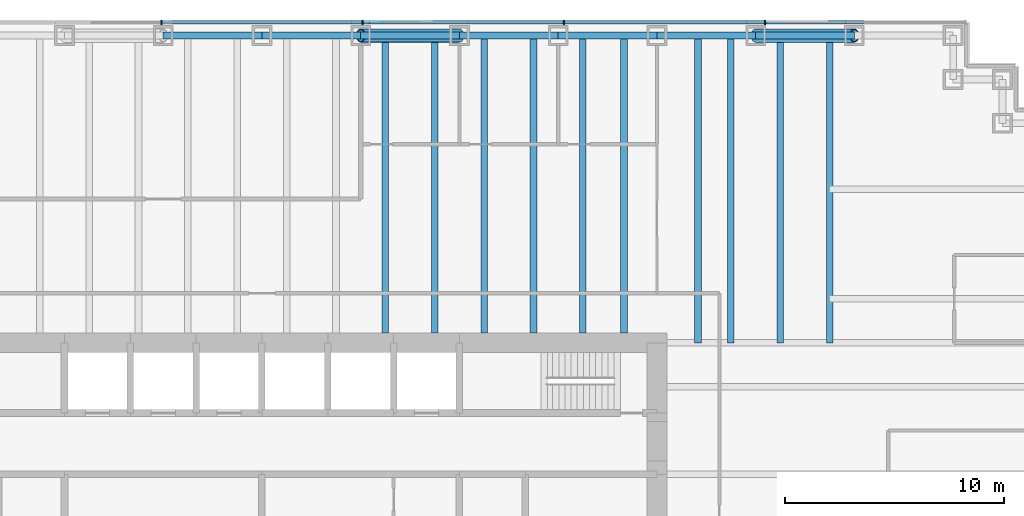
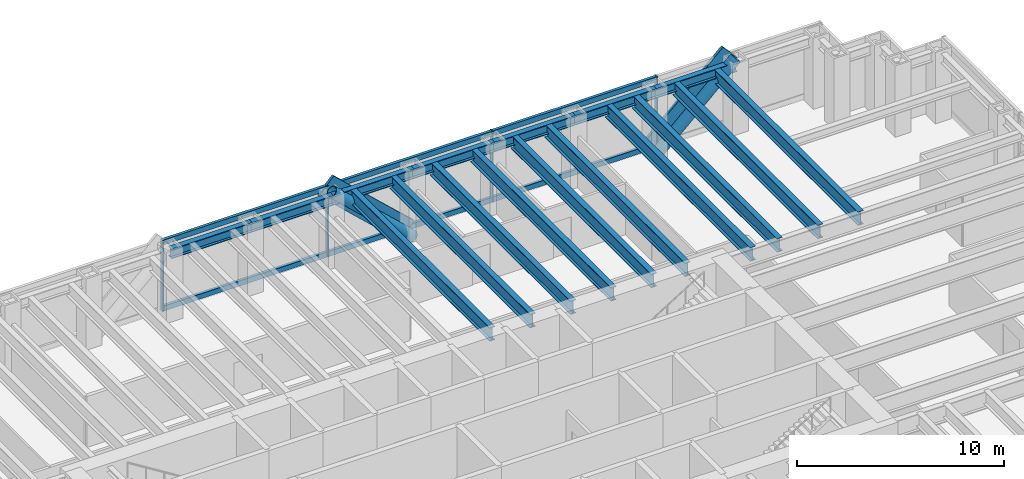
# One storey, part 7 of 15: 17 beams, 14 members, 1 element without a shape of its own.
"""IFC4 building model written with IfcOpenShell, lengths in metres."""

from ifc_helpers import new_model, si_unit, direction, frame, origin, origin_2d, place, context, subcontext, project, spatial, rectangle, hollow_circle, i_section, extrude, material, material_profile, profile_set, type_object, element, aggregate, save


model = new_model("IFC4")

# Units and contexts
model_context = context("Model", 3, precision=1e-05, world=origin(), true_north=direction((0.0, 1.0)))
body_context = subcontext(model_context, "Body", "Model", "MODEL_VIEW")
ifc_project = project(units=[si_unit("LENGTHUNIT", "METRE"), si_unit("AREAUNIT", "SQUARE_METRE"), si_unit("VOLUMEUNIT", "CUBIC_METRE"), si_unit("PLANEANGLEUNIT", "RADIAN"), si_unit("MASSUNIT", "GRAM", prefix="KILO")], contexts=[model_context])

# Site, building, storey
site_placement = place(None, origin())
site = spatial("IfcSite", under=ifc_project, at=site_placement, CompositionType="ELEMENT")
building_placement = place(site_placement, origin())
building = spatial("IfcBuilding", under=site, at=building_placement, Name="Rheinbord Bourse Tower", CompositionType="ELEMENT")
storey_placement = place(building_placement, frame((0.0, 0.0, 146.699951171875)))
storey = spatial("IfcBuildingStorey", under=building, at=storey_placement, Name="L32", CompositionType="ELEMENT", Elevation=146.699951171875)

# Curtain wall, members
ifc_material_1 = material(Name="Dark glass and black aluminium", Category="aluminium")
curtain_wall_type = type_object("IfcCurtainWallType", Name="CW2 DARK GLASS CURTAIN WALL", PredefinedType="USERDEFINED", material=ifc_material_1)
curtain_wall_placement = place(storey_placement, origin())
curtain_wall = element("IfcCurtainWall", 1, at=curtain_wall_placement, inside=storey, type_object=curtain_wall_type, Name="Curtain wall CW2 N L32", ObjectType="UNITISED CURTAIN WALL", PredefinedType="USERDEFINED")
ifc_material_2 = material(Name="Black anodised aluminium", Category="aluminium")
ifc_material_profile_1 = material_profile(ifc_material_2, rectangle(XDim=0.159912109375, YDim=1.2099609375, at=origin_2d()), Name="CW2 DIAGONAL MULLION 1210x160")
ifc_profile_set_1 = profile_set([ifc_material_profile_1], Name="Black anodised aluminium")
member_type_1 = type_object("IfcMemberType", Name="CW2 BLACK DIAGONAL MULLION", PredefinedType="USERDEFINED", material=ifc_profile_set_1)
member_1_placement = place(storey_placement, frame((45.0, 46.60009765625, 0.0), z_axis=(-0.73105922506, 0.0, 0.682314010889), x_axis=(0.0, -1.0, 0.0)))
member_1 = element("IfcMember", 2, at=member_1_placement, type_object=member_type_1, Name="CW2 diagonal mullion b", ObjectType="DIAGONAL MULLION", PredefinedType="USERDEFINED", context=body_context, shape_type="SweptSolid", body=[
    extrude(rectangle(XDim=0.159912109375, YDim=1.2099609375, at=origin_2d()), origin(), (0.0, 0.0, 1.0), 6.155517578125),
])
member_2_placement = place(storey_placement, frame((58.5, 46.60009765625, 0.0), z_axis=(0.73105922506, 0.0, 0.682314010889), x_axis=(0.0, 1.0, 0.0)))
member_2 = element("IfcMember", 3, at=member_2_placement, type_object=member_type_1, Name="CW2 diagonal mullion c", ObjectType="DIAGONAL MULLION", PredefinedType="USERDEFINED", context=body_context, shape_type="SweptSolid", body=[
    extrude(rectangle(XDim=0.159912109375, YDim=1.2099609375, at=origin_2d()), origin(), (0.0, 0.0, 1.0), 6.155517578125),
])
ifc_material_3 = material(Name="Black anodised aluminium", Category="aluminium")
ifc_material_profile_2 = material_profile(ifc_material_3, rectangle(XDim=0.219970703125, YDim=0.070068359375, at=origin_2d()), Name="CW2 MULLION 70x220")
ifc_profile_set_2 = profile_set([ifc_material_profile_2], Name="Black anodised aluminium")
member_type_2 = type_object("IfcMemberType", Name="CW2 BLACK MULLION", PredefinedType="MULLION", material=ifc_profile_set_2)
member_3_placement = place(storey_placement, frame((58.928466796875, 46.60009765625, 0.0), z_axis=(0.0, 0.0, 1.0), x_axis=(0.0, -1.0, 0.0)))
member_3 = element("IfcMember", 4, at=member_3_placement, type_object=member_type_2, Name="CW2 mullion 2", PredefinedType="MULLION", context=body_context, shape_type="SweptSolid", body=[
    extrude(rectangle(XDim=0.219970703125, YDim=0.070068359375, at=origin_2d()), origin(), (0.0, 0.0, 1.0), 4.199951171875),
])
member_4_placement = place(storey_placement, frame((49.757080078125, 46.60009765625, 0.0), z_axis=(0.0, 0.0, 1.0), x_axis=(0.0, -1.0, 0.0)))
member_4 = element("IfcMember", 5, at=member_4_placement, type_object=member_type_2, Name="CW2 mullion 3", PredefinedType="MULLION", context=body_context, shape_type="SweptSolid", body=[
    extrude(rectangle(XDim=0.219970703125, YDim=0.070068359375, at=origin_2d()), origin(), (0.0, 0.0, 1.0), 4.199951171875),
])
member_5_placement = place(storey_placement, frame((40.585693359375, 46.60009765625, 0.0), z_axis=(0.0, 0.0, 1.0), x_axis=(0.0, -1.0, 0.0)))
member_5 = element("IfcMember", 6, at=member_5_placement, type_object=member_type_2, Name="CW2 mullion 4", PredefinedType="MULLION", context=body_context, shape_type="SweptSolid", body=[
    extrude(rectangle(XDim=0.219970703125, YDim=0.070068359375, at=origin_2d()), origin(), (0.0, 0.0, 1.0), 4.199951171875),
])
member_6_placement = place(storey_placement, frame((31.414306640625, 46.60009765625, 0.0), z_axis=(0.0, 0.0, 1.0), x_axis=(0.0, -1.0, 0.0)))
member_6 = element("IfcMember", 7, at=member_6_placement, type_object=member_type_2, Name="CW2 mullion 5", PredefinedType="MULLION", context=body_context, shape_type="SweptSolid", body=[
    extrude(rectangle(XDim=0.219970703125, YDim=0.070068359375, at=origin_2d()), origin(), (0.0, 0.0, 1.0), 4.199951171875),
])
ifc_material_4 = material(Name="Black anodised aluminium", Category="aluminium")
ifc_material_profile_3 = material_profile(ifc_material_4, rectangle(XDim=0.159912109375, YDim=0.300048828125, at=origin_2d()), Name="CW2 TRANSOM 300x160")
ifc_profile_set_3 = profile_set([ifc_material_profile_3], Name="Black anodised aluminium")
member_type_3 = type_object("IfcMemberType", Name="CW2 BLACK TRANSOM", PredefinedType="USERDEFINED", material=ifc_profile_set_3)
member_7_placement = place(storey_placement, frame((58.8935546875, 46.60009765625, 0.150146484375), z_axis=(-1.0, 0.0, 0.0), x_axis=(0.0, -1.0, 0.0)))
member_7 = element("IfcMember", 8, at=member_7_placement, type_object=member_type_3, Name="CW2 transom 2.1", ObjectType="TRANSOM", PredefinedType="USERDEFINED", context=body_context, shape_type="SweptSolid", body=[
    extrude(rectangle(XDim=0.159912109375, YDim=0.300048828125, at=origin_2d()), origin(), (0.0, 0.0, 1.0), 9.101318359375),
])
member_8_placement = place(storey_placement, frame((58.8935546875, 46.60009765625, 4.050048828125), z_axis=(-1.0, 0.0, 0.0), x_axis=(0.0, -1.0, 0.0)))
member_8 = element("IfcMember", 9, at=member_8_placement, type_object=member_type_3, Name="CW2 transom 2.2", ObjectType="TRANSOM", PredefinedType="USERDEFINED", context=body_context, shape_type="SweptSolid", body=[
    extrude(rectangle(XDim=0.159912109375, YDim=0.300048828125, at=origin_2d()), origin(), (0.0, 0.0, 1.0), 9.101318359375),
])
member_9_placement = place(storey_placement, frame((49.72216796875, 46.60009765625, 0.150146484375), z_axis=(-1.0, 0.0, 0.0), x_axis=(0.0, -1.0, 0.0)))
member_9 = element("IfcMember", 10, at=member_9_placement, type_object=member_type_3, Name="CW2 transom 3.1", ObjectType="TRANSOM", PredefinedType="USERDEFINED", context=body_context, shape_type="SweptSolid", body=[
    extrude(rectangle(XDim=0.159912109375, YDim=0.300048828125, at=origin_2d()), origin(), (0.0, 0.0, 1.0), 9.1015625),
])
member_10_placement = place(storey_placement, frame((49.72216796875, 46.60009765625, 4.050048828125), z_axis=(-1.0, 0.0, 0.0), x_axis=(0.0, -1.0, 0.0)))
member_10 = element("IfcMember", 11, at=member_10_placement, type_object=member_type_3, Name="CW2 transom 3.2", ObjectType="TRANSOM", PredefinedType="USERDEFINED", context=body_context, shape_type="SweptSolid", body=[
    extrude(rectangle(XDim=0.159912109375, YDim=0.300048828125, at=origin_2d()), origin(), (0.0, 0.0, 1.0), 9.1015625),
])
member_11_placement = place(storey_placement, frame((40.55078125, 46.60009765625, 0.150146484375), z_axis=(-1.0, 0.0, 0.0), x_axis=(0.0, -1.0, 0.0)))
member_11 = element("IfcMember", 12, at=member_11_placement, type_object=member_type_3, Name="CW2 transom 4.1", ObjectType="TRANSOM", PredefinedType="USERDEFINED", context=body_context, shape_type="SweptSolid", body=[
    extrude(rectangle(XDim=0.159912109375, YDim=0.300048828125, at=origin_2d()), origin(), (0.0, 0.0, 1.0), 9.1015625),
])
member_12_placement = place(storey_placement, frame((40.55078125, 46.60009765625, 4.050048828125), z_axis=(-1.0, 0.0, 0.0), x_axis=(0.0, -1.0, 0.0)))
member_12 = element("IfcMember", 13, at=member_12_placement, type_object=member_type_3, Name="CW2 transom 4.2", ObjectType="TRANSOM", PredefinedType="USERDEFINED", context=body_context, shape_type="SweptSolid", body=[
    extrude(rectangle(XDim=0.159912109375, YDim=0.300048828125, at=origin_2d()), origin(), (0.0, 0.0, 1.0), 9.1015625),
])
aggregate(curtain_wall, [member_3, member_4, member_5, member_6, member_7, member_8, member_9, member_10, member_11, member_12, member_1, member_2])

# Beams
ifc_material_5 = material(Name="Steel S460", Category="steel")
ifc_material_profile_4 = material_profile(ifc_material_5, i_section(OverallWidth=0.300048828125, OverallDepth=0.800048828125, WebThickness=0.017578125, FlangeThickness=0.032958984375, at=origin_2d()), Name="HEB 800")
ifc_profile_set_4 = profile_set([ifc_material_profile_4], Name="Steel S460")
beam_type_1 = type_object("IfcBeamType", Name="FLOOR BEAM HEB 800", PredefinedType="BEAM", material=ifc_profile_set_4)
for number, where, z_axis, x_axis, name in (
    (14, (41.625, 46.0, 3.64013671875), (0.0, -1.0, 0.0), (1.0, 0.0, 0.0), "Floor beam N-40.5a L33"),
    (15, (43.875, 46.0, 3.64013671875), (0.0, -1.0, 0.0), (1.0, 0.0, 0.0), "Floor beam N-40.5b L33"),
    (16, (46.125, 46.0, 3.64013671875), (0.0, -1.0, 0.0), (1.0, 0.0, 0.0), "Floor beam N-45a L33"),
    (17, (48.375, 46.0, 3.64013671875), (0.0, -1.0, 0.0), (1.0, 0.0, 0.0), "Floor beam N-45b L33"),
    (18, (50.625, 46.0, 3.64013671875), (0.0, -1.0, 0.0), (1.0, 0.0, 0.0), "Floor beam N-49.5a L33"),
    (19, (52.5, 46.0, 3.64013671875), (0.0, -1.0, 0.0), (1.0, 0.0, 0.0), "Floor beam N-49.5b L33"),
):
    element("IfcBeam", number, at=place(storey_placement, frame(where, z_axis=z_axis, x_axis=x_axis)), inside=storey, type_object=beam_type_1, Name=name, PredefinedType="BEAM", context=body_context, shape_type="SweptSolid", body=[
        extrude(i_section(OverallWidth=0.300048828125, OverallDepth=0.800048828125, WebThickness=0.017578125, FlangeThickness=0.032958984375, at=origin_2d()), origin(), (0.0, 0.0, 1.0), 13.550048828125),
    ])
for number, where, z_axis, x_axis, name in (
    (20, (55.875, 46.0, 3.64013671875), (0.0, -1.0, 0.0), (1.0, 0.0, 0.0), "Floor beam N-54a L33"),
    (21, (57.375, 46.0, 3.64013671875), (0.0, -1.0, 0.0), (1.0, 0.0, 0.0), "Floor beam N-54b L33"),
    (22, (59.625, 46.0, 3.64013671875), (0.0, -1.0, 0.0), (1.0, 0.0, 0.0), "Floor beam N-58.5a L33"),
    (23, (61.875, 46.0, 3.64013671875), (0.0, -1.0, 0.0), (1.0, 0.0, 0.0), "Floor beam N-58.5b L33"),
):
    element("IfcBeam", number, at=place(storey_placement, frame(where, z_axis=z_axis, x_axis=x_axis)), inside=storey, type_object=beam_type_1, Name=name, PredefinedType="BEAM", context=body_context, shape_type="SweptSolid", body=[
        extrude(i_section(OverallWidth=0.300048828125, OverallDepth=0.800048828125, WebThickness=0.017578125, FlangeThickness=0.032958984375, at=origin_2d()), origin(), (0.0, 0.0, 1.0), 14.0),
    ])

# Members
ifc_material_6 = material(Name="Steel S460", Category="steel")
ifc_material_profile_5 = material_profile(ifc_material_6, hollow_circle(Radius=0.304931640625, WallThickness=0.0400390625, at=origin_2d()), Name="CHS 610x40")
ifc_profile_set_5 = profile_set([ifc_material_profile_5], Name="Steel S460")
member_type_4 = type_object("IfcMemberType", Name="MEGABRACE CHS 610x40", PredefinedType="BRACE", material=ifc_profile_set_5)
for number, where, z_axis, x_axis, name in (
    (24, (45.0, 46.0, 0.0), (-0.73105922506, 0.0, 0.682314010889), (0.0, -1.0, 0.0), "Megabrace N face line b L32"),
    (25, (58.5, 46.0, 0.0), (0.73105922506, 0.0, 0.682314010889), (0.0, 1.0, 0.0), "Megabrace N face line c L32"),
):
    element("IfcMember", number, at=place(storey_placement, frame(where, z_axis=z_axis, x_axis=x_axis)), inside=storey, type_object=member_type_4, Name=name, PredefinedType="BRACE", context=body_context, shape_type="SweptSolid", body=[
        extrude(hollow_circle(Radius=0.304931640625, WallThickness=0.0400390625, at=origin_2d()), origin(), (0.0, 0.0, 1.0), 6.155517578125),
    ])

# Beams
ifc_material_7 = material(Name="Steel S460", Category="steel")
ifc_material_profile_6 = material_profile(ifc_material_7, i_section(OverallWidth=0.305908203125, OverallDepth=0.572021484375, WebThickness=0.02099609375, FlangeThickness=0.0400390625, at=origin_2d()), Name="HEM 550")
ifc_profile_set_6 = profile_set([ifc_material_profile_6], Name="Steel S460")
beam_type_2 = type_object("IfcBeamType", Name="SPANDREL HEM 550", PredefinedType="SPANDREL", material=ifc_profile_set_6)
for number, where, z_axis, x_axis, name in (
    (26, (63.0, 46.0, 3.754150390625), (-1.0, 0.0, 0.0), (0.0, -1.0, 0.0), "Spandrel N-63-N-58.5 under L33"),
    (27, (58.5, 46.0, 3.754150390625), (-1.0, 0.0, 0.0), (0.0, -1.0, 0.0), "Spandrel N-58.5-N-54 under L33"),
    (28, (54.0, 46.0, 3.754150390625), (-1.0, 0.0, 0.0), (0.0, -1.0, 0.0), "Spandrel N-54-N-49.5 under L33"),
    (29, (49.5, 46.0, 3.754150390625), (-1.0, 0.0, 0.0), (0.0, -1.0, 0.0), "Spandrel N-49.5-N-45 under L33"),
    (30, (45.0, 46.0, 3.754150390625), (-1.0, 0.0, 0.0), (0.0, -1.0, 0.0), "Spandrel N-45-N-40.5 under L33"),
    (31, (40.5, 46.0, 3.754150390625), (-1.0, 0.0, 0.0), (0.0, -1.0, 0.0), "Spandrel N-40.5-N-36 under L33"),
    (32, (36.0, 46.0, 3.754150390625), (-1.0, 0.0, 0.0), (0.0, -1.0, 0.0), "Spandrel N-36-N-31.5 under L33"),
):
    element("IfcBeam", number, at=place(storey_placement, frame(where, z_axis=z_axis, x_axis=x_axis)), inside=storey, type_object=beam_type_2, Name=name, PredefinedType="SPANDREL", context=body_context, shape_type="SweptSolid", body=[
        extrude(i_section(OverallWidth=0.305908203125, OverallDepth=0.572021484375, WebThickness=0.02099609375, FlangeThickness=0.0400390625, at=origin_2d()), origin(), (0.0, 0.0, 1.0), 4.5),
    ])

save(model, "model.ifc")
